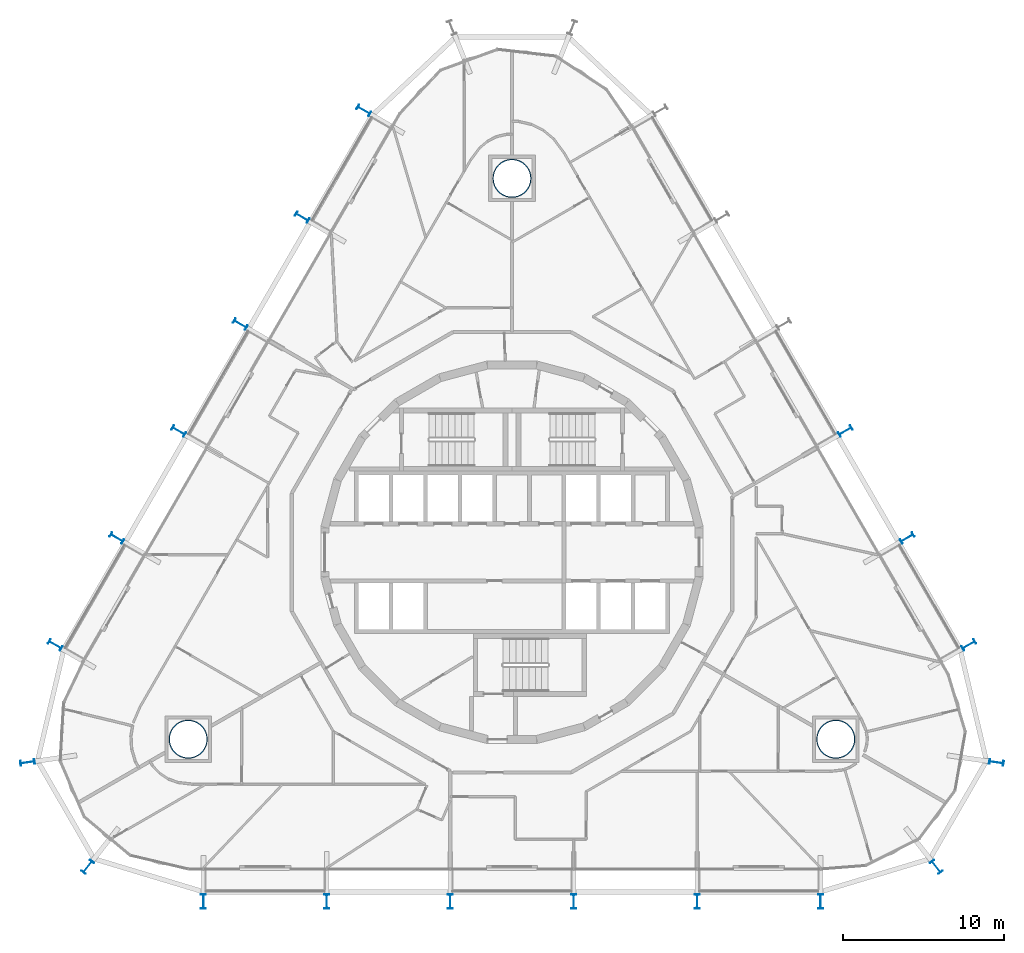
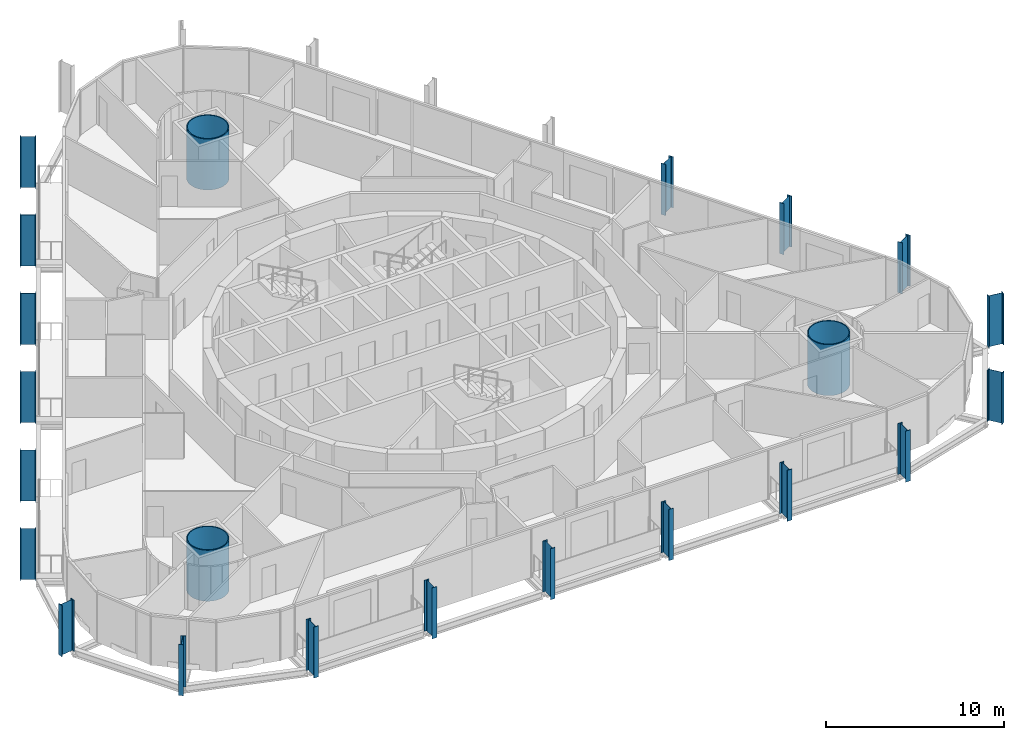
# One storey, part 1 of 21: 22 columns.
"""IFC4 building model written with IfcOpenShell, lengths in metres."""

from ifc_helpers import new_model, si_unit, direction, frame, origin, origin_2d, place, context, subcontext, project, spatial, hollow_circle, i_section, extrude, material, material_profile, profile_set, type_object, element, save


model = new_model("IFC4")

# Units and contexts
model_context = context("Model", 3, precision=1e-05, world=origin(), true_north=direction((0.0, 1.0)))
body_context = subcontext(model_context, "Body", "Model", "MODEL_VIEW")
ifc_project = project(units=[si_unit("LENGTHUNIT", "METRE"), si_unit("AREAUNIT", "SQUARE_METRE"), si_unit("VOLUMEUNIT", "CUBIC_METRE"), si_unit("PLANEANGLEUNIT", "RADIAN"), si_unit("MASSUNIT", "GRAM", prefix="KILO")], contexts=[model_context])

# Site, building, storey
site_placement = place(None, origin())
site = spatial("IfcSite", under=ifc_project, at=site_placement, CompositionType="ELEMENT")
building_placement = place(site_placement, origin())
building = spatial("IfcBuilding", under=site, at=building_placement, Name="Spindle Arch Residences", CompositionType="ELEMENT")
storey_placement = place(building_placement, frame((0.0, 0.0, 55.89990234375)))
storey = spatial("IfcBuildingStorey", under=building, at=storey_placement, Name="L12", CompositionType="ELEMENT", Elevation=55.89990234375)

# Columns
ifc_material_1 = material(Name="Steel S460ML, intumescent coating R 240", Category="steel")
ifc_material_profile_1 = material_profile(ifc_material_1, i_section(OverallWidth=0.300048828125, OverallDepth=0.89990234375, WebThickness=0.0185546875, FlangeThickness=0.034912109375, FilletRadius=0.030029296875, at=origin_2d()), Name="HEB 900")
ifc_profile_set_1 = profile_set([ifc_material_profile_1], Name="Steel S460ML, intumescent coating R 240")
column_type_1 = type_object("IfcColumnType", Name="Exoskeleton post HEB 900", PredefinedType="COLUMN", material=ifc_profile_set_1)
for number, where, z_axis, x_axis, name in (
    (1, (3.840087890625, -21.72998046875, -0.3798828125), (0.0, 0.0, 1.0), (-1.0, 0.0, 0.0), "Exoskeleton post 1"),
    (2, (11.52001953125, -21.72998046875, -0.3798828125), (0.0, 0.0, 1.0), (-1.0, 0.0, 0.0), "Exoskeleton post 2"),
    (3, (19.2001953125, -21.72998046875, -0.3798828125), (0.0, 0.0, 1.0), (-1.0, 0.0, 0.0), "Exoskeleton post 3"),
    (4, (26.3916015625, -19.565185546875, -0.3798828125), (0.0, 0.0, 1.0), (-0.7856835335, -0.618628632693, 0.0), "Exoskeleton post 4"),
    (5, (30.139892578125, -13.0732421875, -0.3798828125), (0.0, 0.0, 1.0), (-0.142906037553, -0.989736260036, 0.0), "Exoskeleton post 5"),
    (6, (28.418701171875, -5.762939453125, -0.3798828125), (0.0, 0.0, 1.0), (0.50000017485, -0.866025302835, 0.0), "Exoskeleton post 6"),
    (7, (24.57861328125, 0.88818359375, -0.3798828125), (0.0, 0.0, 1.0), (0.50000017485, -0.866025302835, 0.0), "Exoskeleton post 7"),
    (8, (20.73876953125, 7.539306640625, -0.3798828125), (0.0, 0.0, 1.0), (0.50000017485, -0.866025302835, 0.0), "Exoskeleton post 8"),
    (9, (-9.218505859375, 27.492919921875, -0.3798828125), (0.0, 0.0, 1.0), (0.50000017485, 0.866025302835, 0.0), "Exoskeleton post 14"),
    (10, (-13.05859375, 20.841796875, -0.3798828125), (0.0, 0.0, 1.0), (0.50000017485, 0.866025302835, 0.0), "Exoskeleton post 15"),
    (11, (-16.898681640625, 14.1904296875, -0.3798828125), (0.0, 0.0, 1.0), (0.50000017485, 0.866025302835, 0.0), "Exoskeleton post 16"),
    (12, (-20.73876953125, 7.539306640625, -0.3798828125), (0.0, 0.0, 1.0), (0.50000017485, 0.866025302835, 0.0), "Exoskeleton post 17"),
    (13, (-24.57861328125, 0.88818359375, -0.3798828125), (0.0, 0.0, 1.0), (0.50000017485, 0.866025302835, 0.0), "Exoskeleton post 18"),
    (14, (-28.418701171875, -5.762939453125, -0.3798828125), (0.0, 0.0, 1.0), (0.50000017485, 0.866025302835, 0.0), "Exoskeleton post 19"),
    (15, (-30.139892578125, -13.0732421875, -0.3798828125), (0.0, 0.0, 1.0), (-0.142906037553, 0.989736260036, 0.0), "Exoskeleton post 20"),
    (16, (-26.3916015625, -19.565185546875, -0.3798828125), (0.0, 0.0, 1.0), (-0.7856835335, 0.618628632693, 0.0), "Exoskeleton post 21"),
    (17, (-19.2001953125, -21.72998046875, -0.3798828125), (0.0, 0.0, 1.0), (-1.0, 0.0, 0.0), "Exoskeleton post 22"),
    (18, (-11.52001953125, -21.72998046875, -0.3798828125), (0.0, 0.0, 1.0), (-1.0, 0.0, 0.0), "Exoskeleton post 23"),
    (19, (-3.840087890625, -21.72998046875, -0.3798828125), (0.0, 0.0, 1.0), (-1.0, 0.0, 0.0), "Exoskeleton post 24"),
):
    element("IfcColumn", number, at=place(storey_placement, frame(where, z_axis=z_axis, x_axis=x_axis)), inside=storey, type_object=column_type_1, Name=name, PredefinedType="COLUMN", context=body_context, shape_type="SweptSolid", body=[
        extrude(i_section(OverallWidth=0.300048828125, OverallDepth=0.89990234375, WebThickness=0.0185546875, FlangeThickness=0.034912109375, FilletRadius=0.030029296875, at=origin_2d()), origin(), (0.0, 0.0, 1.0), 3.5),
    ])
ifc_material_2 = material(Name="Concrete C50/60 filled steel tube S460ML, intumescent coating R 240", Category="concrete")
ifc_material_profile_2 = material_profile(ifc_material_2, hollow_circle(Radius=1.199951171875, WallThickness=0.06005859375, at=origin_2d()), Name="CFT D2400x60")
ifc_profile_set_2 = profile_set([ifc_material_profile_2], Name="Concrete C50/60 filled steel tube S460ML, intumescent coating R 240")
column_type_2 = type_object("IfcColumnType", Name="Mega-column CFT D2400x60", PredefinedType="COLUMN", material=ifc_profile_set_2)
for number, where, z_axis, x_axis, name in (
    (20, (20.1435546875, -11.6298828125, -0.3798828125), (0.0, 0.0, 1.0), (1.0, 0.0, 0.0), "Mega-column 1"),
    (21, (0.0, 23.259765625, -0.3798828125), (0.0, 0.0, 1.0), (1.0, 0.0, 0.0), "Mega-column 2"),
    (22, (-20.1435546875, -11.6298828125, -0.3798828125), (0.0, 0.0, 1.0), (1.0, 0.0, 0.0), "Mega-column 3"),
):
    element("IfcColumn", number, at=place(storey_placement, frame(where, z_axis=z_axis, x_axis=x_axis)), inside=storey, type_object=column_type_2, Name=name, PredefinedType="COLUMN", context=body_context, shape_type="SweptSolid", body=[
        extrude(hollow_circle(Radius=1.199951171875, WallThickness=0.06005859375, at=origin_2d()), origin(), (0.0, 0.0, 1.0), 3.5),
    ])

save(model, "model.ifc")
